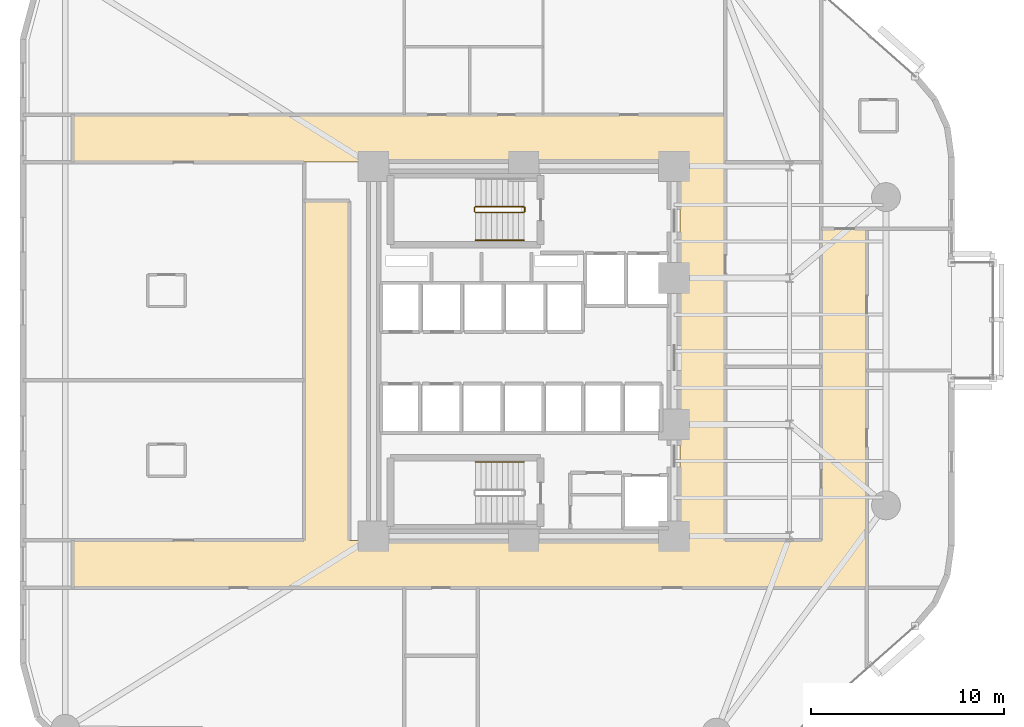
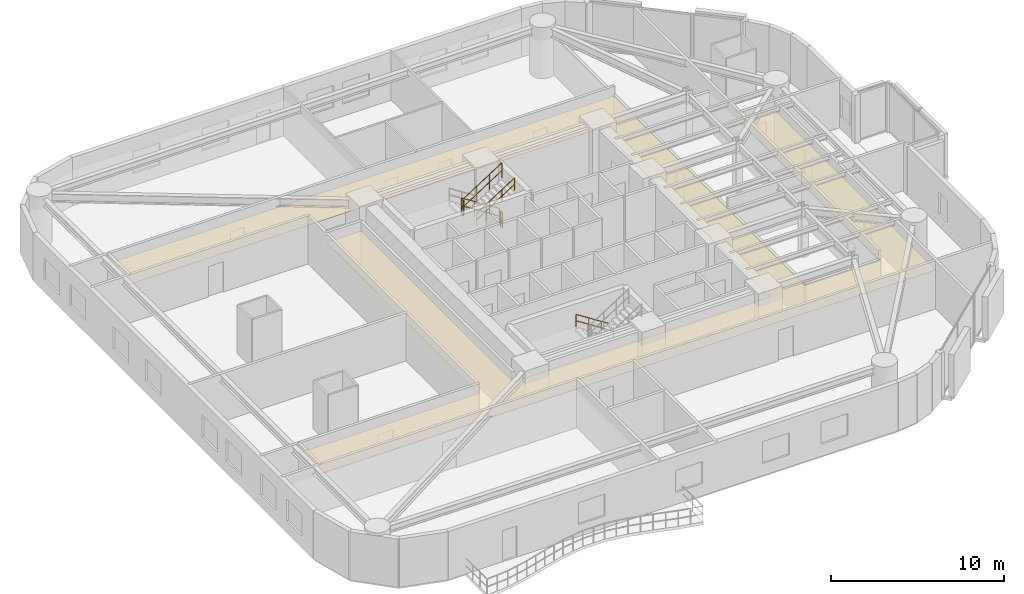
# One storey, part 15 of 16: 6 railings, 1 covering.
"""IFC4 building model written with IfcOpenShell, lengths in metres."""

from ifc_helpers import new_model, si_unit, direction, frame, origin, origin_2d, place, context, subcontext, project, spatial, polyline, circle, outline, extrude, material, layer, layer_set, type_object, element, save


model = new_model("IFC4")

# Units and contexts
model_context = context("Model", 3, precision=1e-05, world=origin(), true_north=direction((0.0, 1.0)))
body_context = subcontext(model_context, "Body", "Model", "MODEL_VIEW")
ifc_project = project(units=[si_unit("LENGTHUNIT", "METRE"), si_unit("AREAUNIT", "SQUARE_METRE"), si_unit("VOLUMEUNIT", "CUBIC_METRE"), si_unit("PLANEANGLEUNIT", "RADIAN"), si_unit("MASSUNIT", "GRAM", prefix="KILO")], contexts=[model_context])

# Site, building, storey
site_placement = place(None, origin())
site = spatial("IfcSite", under=ifc_project, at=site_placement, CompositionType="ELEMENT")
building_placement = place(site_placement, origin())
building = spatial("IfcBuilding", under=site, at=building_placement, Name="An Khanh Terracotta Commons", CompositionType="ELEMENT")
storey_placement = place(building_placement, frame((0.0, 0.0, 68.39990234375)))
storey = spatial("IfcBuildingStorey", under=building, at=storey_placement, Name="L18", CompositionType="ELEMENT", Elevation=68.39990234375)

# Covering
ifc_material_1 = material(Name="Perforated Mineral-Fibre Acoustic Tile")
ifc_layer = layer(ifc_material_1, 0.02001953125, Name="Perforated Mineral-Fibre Acoustic Tile")
ifc_layer_set = layer_set([ifc_layer], Name="Perforated Mineral-Fibre Acoustic Tile")
covering_type = type_object("IfcCoveringType", Name="CEIL-ACOUSTIC-18", PredefinedType="CEILING", material=ifc_layer_set)
covering_placement = place(storey_placement, frame((0.0, 0.0, 2.650146484375)))
element("IfcCovering", 1, at=covering_placement, inside=storey, type_object=covering_type, Name="L18 Corridor Ceiling", PredefinedType="CEILING", context=body_context, shape_type="SweptSolid", body=[
    extrude(outline(polyline([(44.85009765625, 30.35009765625), (47.199951171875, 30.35009765625), (47.199951171875, 14.179931640625), (47.199951171875, 11.719970703125), (44.85009765625, 11.719970703125), (39.85009765625, 11.719970703125), (37.5, 11.719970703125), (6.0, 11.719970703125), (6.0, 14.179931640625), (18.0, 14.179931640625), (18.0, 31.800048828125), (20.35009765625, 31.800048828125), (20.35009765625, 14.179931640625), (37.5, 14.179931640625), (37.5, 33.820068359375), (6.0, 33.820068359375), (6.0, 36.280029296875), (37.5, 36.280029296875), (39.85009765625, 36.280029296875), (39.85009765625, 33.820068359375), (39.85009765625, 14.179931640625), (44.85009765625, 14.179931640625), (44.85009765625, 30.35009765625)])), origin(), (0.0, 0.0, 1.0), 0.02001953125),
])

# Railings
ifc_material_2 = material(Name="Brushed Stainless Steel 316", Category="steel")
railing_type_1 = type_object("IfcRailingType", Name="RAIL-HANDRAIL-900", PredefinedType="HANDRAIL", material=ifc_material_2)
railing_1_placement = place(storey_placement, frame((26.889892578125, 29.75, 1.97998046875)))
element("IfcRailing", 2, at=railing_1_placement, inside=storey, type_object=railing_type_1, Name="L18 ST-01 stair handrail 2", PredefinedType="HANDRAIL", context=body_context, shape_type="SweptSolid", body=[
    extrude(circle(Radius=0.02392578125, at=origin_2d()), frame((0.0, 0.0, 0.8759765625), z_axis=(0.841162588446, 0.0, 0.540782303519), x_axis=(0.0, 1.0, 0.0)), (0.0, 0.0, 1.0), 2.995849609375),
    extrude(circle(Radius=0.02392578125, at=origin_2d()), frame((0.0, 0.0, 0.42578125), z_axis=(0.841162588446, 0.0, 0.540782303519), x_axis=(0.0, 1.0, 0.0)), (0.0, 0.0, 1.0), 2.995849609375),
    extrude(circle(Radius=0.02099609375, at=origin_2d()), origin(), (0.0, 0.0, 1.0), 0.851806640625),
    extrude(circle(Radius=0.02099609375, at=origin_2d()), frame((0.840087890625, 0.0, 0.5400390625)), (0.0, 0.0, 1.0), 0.851806640625),
    extrude(circle(Radius=0.02099609375, at=origin_2d()), frame((1.679931640625, 0.0, 1.080078125)), (0.0, 0.0, 1.0), 0.851806640625),
    extrude(circle(Radius=0.02099609375, at=origin_2d()), frame((2.52001953125, 0.0, 1.6201171875)), (0.0, 0.0, 1.0), 0.851806640625),
])
railing_2_placement = place(storey_placement, frame((29.409912109375, 18.25, 0.18017578125)))
element("IfcRailing", 3, at=railing_2_placement, inside=storey, type_object=railing_type_1, Name="L18 ST-02 stair handrail 1", PredefinedType="HANDRAIL", context=body_context, shape_type="SweptSolid", body=[
    extrude(circle(Radius=0.02392578125, at=origin_2d()), frame((0.0, 0.0, 0.8759765625), z_axis=(-0.841199657755, 0.0, 0.540724639528), x_axis=(0.0, -1.0, 0.0)), (0.0, 0.0, 1.0), 2.995849609375),
    extrude(circle(Radius=0.02392578125, at=origin_2d()), frame((0.0, 0.0, 0.42578125), z_axis=(-0.841199657755, 0.0, 0.540724639528), x_axis=(0.0, -1.0, 0.0)), (0.0, 0.0, 1.0), 2.995849609375),
    extrude(circle(Radius=0.02099609375, at=origin_2d()), origin(), (0.0, 0.0, 1.0), 0.851806640625),
    extrude(circle(Radius=0.02099609375, at=origin_2d()), frame((-0.840087890625, 0.0, 0.5400390625)), (0.0, 0.0, 1.0), 0.851806640625),
    extrude(circle(Radius=0.02099609375, at=origin_2d()), frame((-1.679931640625, 0.0, 1.079833984375)), (0.0, 0.0, 1.0), 0.851806640625),
    extrude(circle(Radius=0.02099609375, at=origin_2d()), frame((-2.52001953125, 0.0, 1.619873046875)), (0.0, 0.0, 1.0), 0.851806640625),
])
ifc_material_3 = material(Name="Powder-Coated Steel S355J2", Category="steel")
railing_type_2 = type_object("IfcRailingType", Name="RAIL-STAIR-GUARD-1100", PredefinedType="BALUSTRADE", material=ifc_material_3)
railing_3_placement = place(storey_placement, frame((29.409912109375, 31.5, 0.18017578125)))
element("IfcRailing", 4, at=railing_3_placement, inside=storey, type_object=railing_type_2, Name="L18 ST-01 stair guard 1", PredefinedType="BALUSTRADE", context=body_context, shape_type="SweptSolid", body=[
    extrude(circle(Radius=0.02392578125, at=origin_2d()), frame((0.0, 0.0, 1.076171875), z_axis=(-0.841199657755, 0.0, 0.540724639528), x_axis=(0.0, -1.0, 0.0)), (0.0, 0.0, 1.0), 2.995849609375),
    extrude(circle(Radius=0.02392578125, at=origin_2d()), frame((0.0, 0.0, 0.52587890625), z_axis=(-0.841199657755, 0.0, 0.540724639528), x_axis=(0.0, -1.0, 0.0)), (0.0, 0.0, 1.0), 2.995849609375),
    extrude(circle(Radius=0.02099609375, at=origin_2d()), origin(), (0.0, 0.0, 1.0), 1.052001953125),
    extrude(circle(Radius=0.02099609375, at=origin_2d()), frame((-0.840087890625, 0.0, 0.5400390625)), (0.0, 0.0, 1.0), 1.052001953125),
    extrude(circle(Radius=0.02099609375, at=origin_2d()), frame((-1.679931640625, 0.0, 1.079833984375)), (0.0, 0.0, 1.0), 1.052001953125),
    extrude(circle(Radius=0.02099609375, at=origin_2d()), frame((-2.52001953125, 0.0, 1.619873046875)), (0.0, 0.0, 1.0), 1.052001953125),
])
railing_4_placement = place(storey_placement, frame((26.840087890625, 31.449951171875, 1.800048828125)))
element("IfcRailing", 5, at=railing_4_placement, inside=storey, type_object=railing_type_2, Name="L18 ST-01 stair guard 2", PredefinedType="BALUSTRADE", context=body_context, shape_type="SweptSolid", body=[
    extrude(circle(Radius=0.02392578125, at=origin_2d()), frame((0.0, 0.0, 1.076171875), z_axis=(0.0, -1.0, 0.0), x_axis=(1.0, 0.0, 0.0)), (0.0, 0.0, 1.0), 0.199951171875),
    extrude(circle(Radius=0.02392578125, at=origin_2d()), frame((0.0, 0.0, 0.52587890625), z_axis=(0.0, -1.0, 0.0), x_axis=(1.0, 0.0, 0.0)), (0.0, 0.0, 1.0), 0.199951171875),
    extrude(circle(Radius=0.02099609375, at=origin_2d()), origin(), (0.0, 0.0, 1.0), 1.052001953125),
    extrude(circle(Radius=0.02099609375, at=origin_2d()), frame((0.0, -0.199951171875, 0.0)), (0.0, 0.0, 1.0), 1.052001953125),
])
railing_5_placement = place(storey_placement, frame((26.889892578125, 31.199951171875, 1.97998046875)))
element("IfcRailing", 6, at=railing_5_placement, inside=storey, type_object=railing_type_2, Name="L18 ST-01 stair guard 3", PredefinedType="BALUSTRADE", context=body_context, shape_type="SweptSolid", body=[
    extrude(circle(Radius=0.02392578125, at=origin_2d()), frame((0.0, 0.0, 1.076171875), z_axis=(0.841162588446, 0.0, 0.540782303519), x_axis=(0.0, 1.0, 0.0)), (0.0, 0.0, 1.0), 2.995849609375),
    extrude(circle(Radius=0.02392578125, at=origin_2d()), frame((0.0, 0.0, 0.52587890625), z_axis=(0.841162588446, 0.0, 0.540782303519), x_axis=(0.0, 1.0, 0.0)), (0.0, 0.0, 1.0), 2.995849609375),
    extrude(circle(Radius=0.02099609375, at=origin_2d()), origin(), (0.0, 0.0, 1.0), 1.052001953125),
    extrude(circle(Radius=0.02099609375, at=origin_2d()), frame((0.840087890625, 0.0, 0.5400390625)), (0.0, 0.0, 1.0), 1.052001953125),
    extrude(circle(Radius=0.02099609375, at=origin_2d()), frame((1.679931640625, 0.0, 1.080078125)), (0.0, 0.0, 1.0), 1.052001953125),
    extrude(circle(Radius=0.02099609375, at=origin_2d()), frame((2.52001953125, 0.0, 1.6201171875)), (0.0, 0.0, 1.0), 1.052001953125),
])
railing_6_placement = place(storey_placement, frame((29.4599609375, 31.449951171875, 0.0)))
element("IfcRailing", 7, at=railing_6_placement, inside=storey, type_object=railing_type_2, Name="L18 ST-01 stair guard 4", PredefinedType="BALUSTRADE", context=body_context, shape_type="SweptSolid", body=[
    extrude(circle(Radius=0.02392578125, at=origin_2d()), frame((0.0, 0.0, 1.076171875), z_axis=(0.0, -1.0, 0.0), x_axis=(1.0, 0.0, 0.0)), (0.0, 0.0, 1.0), 0.199951171875),
    extrude(circle(Radius=0.02392578125, at=origin_2d()), frame((0.0, 0.0, 0.52587890625), z_axis=(0.0, -1.0, 0.0), x_axis=(1.0, 0.0, 0.0)), (0.0, 0.0, 1.0), 0.199951171875),
    extrude(circle(Radius=0.02099609375, at=origin_2d()), origin(), (0.0, 0.0, 1.0), 1.052001953125),
    extrude(circle(Radius=0.02099609375, at=origin_2d()), frame((0.0, -0.199951171875, 0.0)), (0.0, 0.0, 1.0), 1.052001953125),
])

save(model, "model.ifc")
